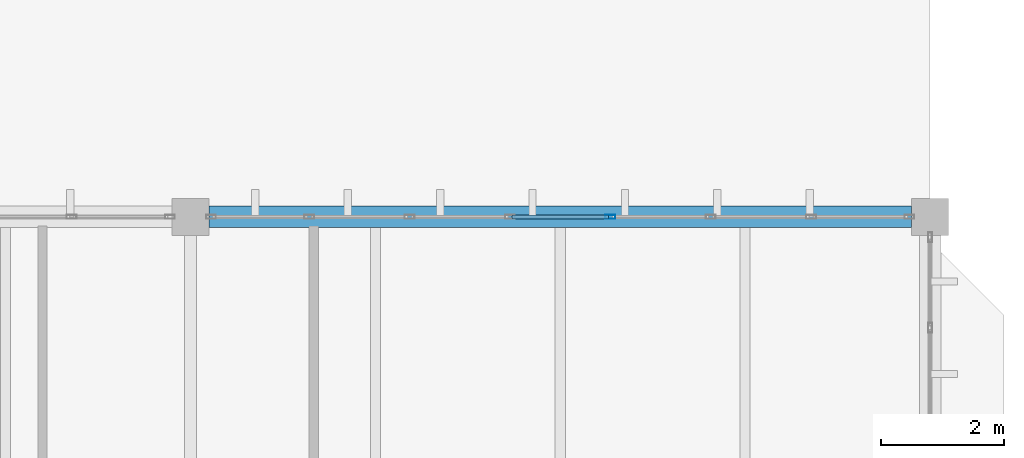
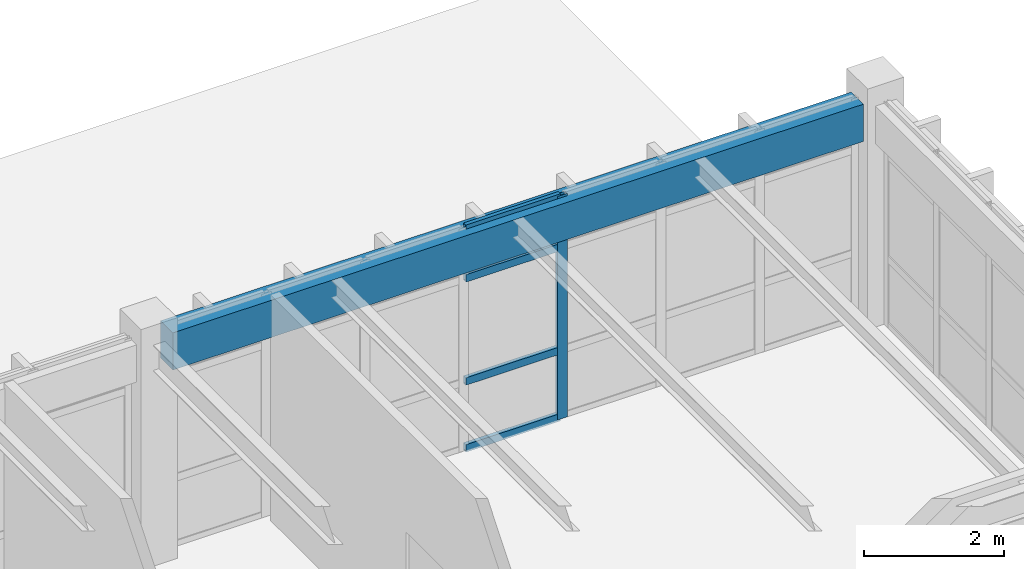
# One storey, part 56 of 83: 5 members, 1 beam, 1 element without a shape of its own.
"""IFC4 building model written with IfcOpenShell, lengths in metres."""

from ifc_helpers import new_model, si_unit, direction, frame, origin, origin_2d, place, context, subcontext, project, spatial, rectangle, hollow_rectangle, extrude, material, layer, layer_set, material_profile, profile_set, type_object, element, aggregate, save


model = new_model("IFC4")

# Units and contexts
model_context = context("Model", 3, precision=1e-05, world=origin(), true_north=direction((0.0, 1.0)))
body_context = subcontext(model_context, "Body", "Model", "MODEL_VIEW")
ifc_project = project(units=[si_unit("LENGTHUNIT", "METRE"), si_unit("AREAUNIT", "SQUARE_METRE"), si_unit("VOLUMEUNIT", "CUBIC_METRE"), si_unit("PLANEANGLEUNIT", "RADIAN"), si_unit("MASSUNIT", "GRAM", prefix="KILO")], contexts=[model_context])

# Site, building, storey
site_placement = place(None, origin())
site = spatial("IfcSite", under=ifc_project, at=site_placement, CompositionType="ELEMENT")
building_placement = place(site_placement, origin())
building = spatial("IfcBuilding", under=site, at=building_placement, Name="Pandanus Reach Market Hall", CompositionType="ELEMENT")
storey_placement = place(building_placement, frame((0.0, 0.0, 10.199951171875)))
storey = spatial("IfcBuildingStorey", under=building, at=storey_placement, Name="L02", CompositionType="ELEMENT", Elevation=10.199951171875)

# Beam
ifc_material_1 = material(Name="Concrete N40 (40 MPa)", Category="concrete")
ifc_material_profile_1 = material_profile(ifc_material_1, rectangle(XDim=0.35009765625, YDim=0.64990234375, at=origin_2d()), Name="RC350x650", Category="LoadBearing")
ifc_profile_set_1 = profile_set([ifc_material_profile_1], Name="Concrete N40 (40 MPa)")
beam_type = type_object("IfcBeamType", Name="BM-RC350-E", PredefinedType="SPANDREL", material=ifc_profile_set_1)
beam_placement = place(storey_placement, frame((168.298095703125, 86.39990234375, 3.53515625), z_axis=(1.0, 0.0, 0.0), x_axis=(0.0, 1.0, 0.0)))
element("IfcBeam", 1, at=beam_placement, inside=storey, type_object=beam_type, Name="Framing beam BM-RC350-E L02.460", PredefinedType="SPANDREL", context=body_context, shape_type="SweptSolid", body=[
    extrude(rectangle(XDim=0.35009765625, YDim=0.64990234375, at=origin_2d()), origin(), (0.0, 0.0, 1.0), 11.40380859375),
])

# Curtain wall, members
ifc_material_2 = material(Name="Bronze anodised aluminium and low-E glass", Category="aluminium")
ifc_layer = layer(ifc_material_2, 0.159912109375, Name="CW-31")
ifc_layer_set = layer_set([ifc_layer], Name="Bronze anodised aluminium and low-E glass")
curtain_wall_type = type_object("IfcCurtainWallType", Name="CW-31", PredefinedType="NOTDEFINED", material=ifc_layer_set)
curtain_wall_placement = place(storey_placement, origin())
curtain_wall = element("IfcCurtainWall", 2, at=curtain_wall_placement, inside=storey, type_object=curtain_wall_type, Name="Glazed curtain wall CW-31 CW-0104", PredefinedType="NOTDEFINED")
ifc_material_3 = material(Name="Bronze anodised aluminium", Category="aluminium")
ifc_material_profile_2 = material_profile(ifc_material_3, hollow_rectangle(XDim=0.06494140625, YDim=0.159912109375, WallThickness=0.00390625, at=origin_2d()), Name="ALU65x160", Category="LoadBearing")
ifc_profile_set_2 = profile_set([ifc_material_profile_2], Name="Bronze anodised aluminium")
member_type_1 = type_object("IfcMemberType", Name="CW-M1", PredefinedType="MULLION", material=ifc_profile_set_2)
member_1_placement = place(storey_placement, frame((174.814208984375, 86.39990234375, 0.0), z_axis=(0.0, 0.0, 1.0), x_axis=(0.0, 1.0, 0.0)))
member_1 = element("IfcMember", 3, at=member_1_placement, type_object=member_type_1, Name="CW-31 mullion 5", PredefinedType="MULLION", context=body_context, shape_type="SweptSolid", body=[
    extrude(hollow_rectangle(XDim=0.06494140625, YDim=0.159912109375, WallThickness=0.00390625, at=origin_2d()), origin(), (0.0, 0.0, 1.0), 3.900146484375),
])
ifc_material_profile_3 = material_profile(ifc_material_3, hollow_rectangle(XDim=0.06494140625, YDim=0.1298828125, WallThickness=0.00390625, at=origin_2d()), Name="ALU65x130", Category="LoadBearing")
ifc_profile_set_3 = profile_set([ifc_material_profile_3], Name="Bronze anodised aluminium")
member_type_2 = type_object("IfcMemberType", Name="CW-T1", PredefinedType="USERDEFINED", material=ifc_profile_set_3)
member_2_placement = place(storey_placement, frame((173.21826171875, 86.39990234375, 0.032470703125), z_axis=(1.0, 0.0, 0.0), x_axis=(0.0, 1.0, 0.0)))
member_2 = element("IfcMember", 4, at=member_2_placement, type_object=member_type_2, Name="CW-31 transom 4.1", ObjectType="TRANSOM", PredefinedType="USERDEFINED", context=body_context, shape_type="SweptSolid", body=[
    extrude(hollow_rectangle(XDim=0.06494140625, YDim=0.1298828125, WallThickness=0.00390625, at=origin_2d()), origin(), (0.0, 0.0, 1.0), 1.5634765625),
])
member_3_placement = place(storey_placement, frame((173.21826171875, 86.39990234375, 1.199951171875), z_axis=(1.0, 0.0, 0.0), x_axis=(0.0, 1.0, 0.0)))
member_3 = element("IfcMember", 5, at=member_3_placement, type_object=member_type_2, Name="CW-31 transom 4.2", ObjectType="TRANSOM", PredefinedType="USERDEFINED", context=body_context, shape_type="SweptSolid", body=[
    extrude(hollow_rectangle(XDim=0.06494140625, YDim=0.1298828125, WallThickness=0.00390625, at=origin_2d()), origin(), (0.0, 0.0, 1.0), 1.5634765625),
])
member_4_placement = place(storey_placement, frame((173.21826171875, 86.39990234375, 3.0), z_axis=(1.0, 0.0, 0.0), x_axis=(0.0, 1.0, 0.0)))
member_4 = element("IfcMember", 6, at=member_4_placement, type_object=member_type_2, Name="CW-31 transom 4.3", ObjectType="TRANSOM", PredefinedType="USERDEFINED", context=body_context, shape_type="SweptSolid", body=[
    extrude(hollow_rectangle(XDim=0.06494140625, YDim=0.1298828125, WallThickness=0.00390625, at=origin_2d()), origin(), (0.0, 0.0, 1.0), 1.5634765625),
])
member_5_placement = place(storey_placement, frame((173.21826171875, 86.39990234375, 3.867431640625), z_axis=(1.0, 0.0, 0.0), x_axis=(0.0, 1.0, 0.0)))
member_5 = element("IfcMember", 7, at=member_5_placement, type_object=member_type_2, Name="CW-31 transom 4.4", ObjectType="TRANSOM", PredefinedType="USERDEFINED", context=body_context, shape_type="SweptSolid", body=[
    extrude(hollow_rectangle(XDim=0.06494140625, YDim=0.1298828125, WallThickness=0.00390625, at=origin_2d()), origin(), (0.0, 0.0, 1.0), 1.5634765625),
])
aggregate(curtain_wall, [member_1, member_2, member_3, member_4, member_5])

save(model, "model.ifc")
